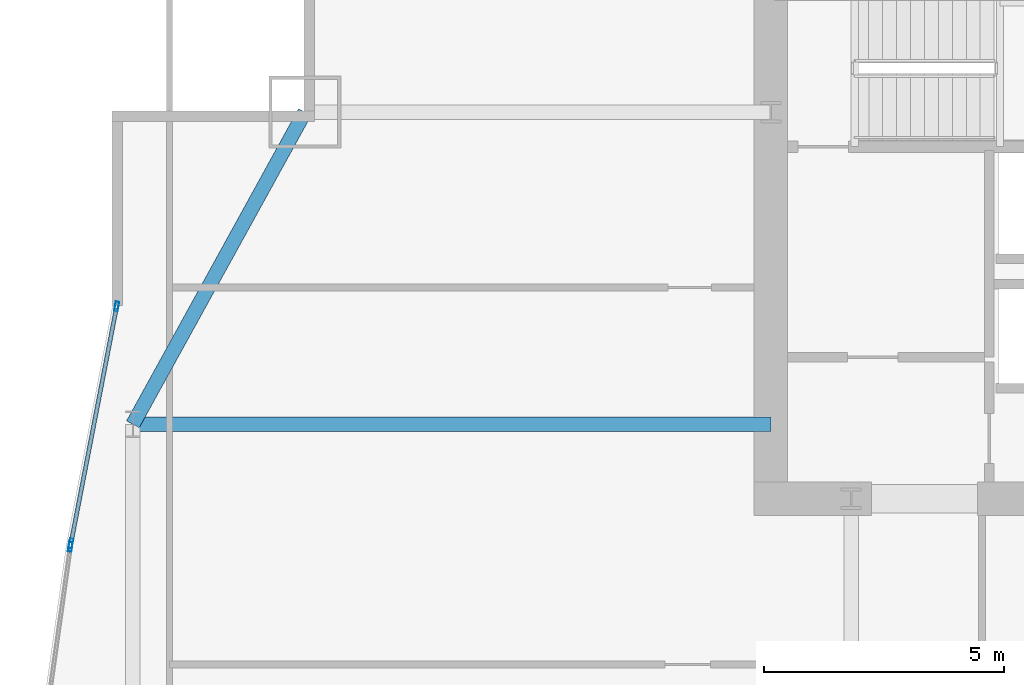
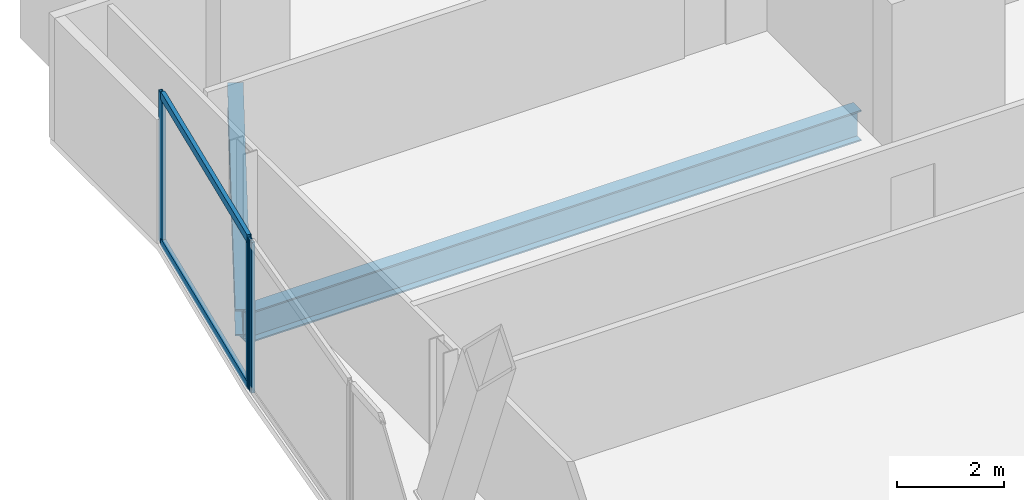
# One storey, part 17 of 33: 5 members, 2 beams, 2 elements without a shape of their own.
"""IFC4 building model written with IfcOpenShell, lengths in metres."""

from ifc_helpers import new_model, si_unit, direction, frame, origin, origin_2d, place, context, subcontext, project, spatial, hollow_rectangle, i_section, extrude, material, material_profile, profile_set, type_object, element, aggregate, save


model = new_model("IFC4")

# Units and contexts
model_context = context("Model", 3, precision=1e-05, world=origin(), true_north=direction((0.0, 1.0)))
body_context = subcontext(model_context, "Body", "Model", "MODEL_VIEW")
ifc_project = project(units=[si_unit("LENGTHUNIT", "METRE"), si_unit("AREAUNIT", "SQUARE_METRE"), si_unit("VOLUMEUNIT", "CUBIC_METRE"), si_unit("PLANEANGLEUNIT", "RADIAN"), si_unit("MASSUNIT", "GRAM", prefix="KILO")], contexts=[model_context])

# Site, building, storey
site_placement = place(None, origin())
site = spatial("IfcSite", under=ifc_project, at=site_placement, CompositionType="ELEMENT")
building_placement = place(site_placement, origin())
building = spatial("IfcBuilding", under=site, at=building_placement, Name="Khoronbel Lancet Exchange", CompositionType="ELEMENT")
storey_placement = place(building_placement, frame((0.0, 0.0, 118.199951171875)))
storey = spatial("IfcBuildingStorey", under=building, at=storey_placement, Name="L28", CompositionType="ELEMENT", Elevation=118.199951171875)

# Beams
ifc_material_1 = material(Name="Steel S355", Category="steel")
ifc_material_profile_1 = material_profile(ifc_material_1, i_section(OverallWidth=0.300048828125, OverallDepth=0.699951171875, WebThickness=0.01708984375, FlangeThickness=0.031982421875, at=origin_2d()), Name="HEB 700")
ifc_profile_set_1 = profile_set([ifc_material_profile_1], Name="Steel S355")
beam_type_1 = type_object("IfcBeamType", Name="BM-BG3", PredefinedType="BEAM", material=ifc_profile_set_1)
beam_1_placement = place(storey_placement, frame((3.27001953125, 43.199951171875, -0.510009765625), z_axis=(1.0, 0.0, 0.0), x_axis=(0.0, 1.0, 0.0)))
element("IfcBeam", 1, at=beam_1_placement, inside=storey, type_object=beam_type_1, Name="Level L28 west lens tie girder LG3W", PredefinedType="BEAM", context=body_context, shape_type="SweptSolid", body=[
    extrude(i_section(OverallWidth=0.300048828125, OverallDepth=0.699951171875, WebThickness=0.01708984375, FlangeThickness=0.031982421875, at=origin_2d()), origin(), (0.0, 0.0, 1.0), 13.280029296875),
])
ifc_material_profile_2 = material_profile(ifc_material_1, i_section(OverallWidth=0.300048828125, OverallDepth=0.60009765625, WebThickness=0.015380859375, FlangeThickness=0.030029296875, at=origin_2d()), Name="HEB 600")
ifc_profile_set_2 = profile_set([ifc_material_profile_2], Name="Steel S355")
beam_type_2 = type_object("IfcBeamType", Name="BM-BSP2", PredefinedType="SPANDREL", material=ifc_profile_set_2)
beam_2_placement = place(storey_placement, frame((6.85009765625, 49.699951171875, -0.4599609375), z_axis=(-0.482444051088, -0.875926787791, 0.0), x_axis=(0.875926787791, -0.482444051088, 0.0)))
element("IfcBeam", 2, at=beam_2_placement, inside=storey, type_object=beam_type_2, Name="Level L28 perimeter spandrel beam SP16", PredefinedType="SPANDREL", context=body_context, shape_type="SweptSolid", body=[
    extrude(i_section(OverallWidth=0.300048828125, OverallDepth=0.60009765625, WebThickness=0.015380859375, FlangeThickness=0.030029296875, at=origin_2d()), origin(), (0.0, 0.0, 1.0), 7.420654296875),
])

# Curtain wall, member
ifc_material_2 = material(Name="Low-E Solar Control Insulating Glass", Category="glass")
curtain_wall_type = type_object("IfcCurtainWallType", Name="CW-4", PredefinedType="NOTDEFINED", material=ifc_material_2)
curtain_wall_1_placement = place(storey_placement, origin())
curtain_wall_1 = element("IfcCurtainWall", 3, at=curtain_wall_1_placement, inside=storey, type_object=curtain_wall_type, Name="Unitised curtain wall CW-L28-E08", PredefinedType="NOTDEFINED")
ifc_material_3 = material(Name="Bronze-Anodised Aluminium 6063-T6", Category="aluminium")
ifc_material_profile_3 = material_profile(ifc_material_3, hollow_rectangle(XDim=0.074951171875, YDim=0.199951171875, WallThickness=0.0048828125, at=origin_2d()), Name="ALU MULLION 75x200")
ifc_profile_set_3 = profile_set([ifc_material_profile_3], Name="Bronze-Anodised Aluminium 6063-T6")
member_type_1 = type_object("IfcMemberType", Name="MEM-CWM2", PredefinedType="MULLION", material=ifc_profile_set_3)
member_1_placement = place(storey_placement, frame((1.96826171875, 40.64794921875, 0.0), z_axis=(0.0, 0.0, 1.0), x_axis=(-0.990162106971, 0.139924986756, 0.0)))
member_1 = element("IfcMember", 4, at=member_1_placement, type_object=member_type_1, Name="CW4 mullion 2", PredefinedType="MULLION", context=body_context, shape_type="SweptSolid", body=[
    extrude(hollow_rectangle(XDim=0.074951171875, YDim=0.199951171875, WallThickness=0.0048828125, at=origin_2d()), origin(), (0.0, 0.0, 1.0), 3.43994140625),
])
aggregate(curtain_wall_1, [member_1])

# Curtain wall, members
curtain_wall_2_placement = place(storey_placement, origin())
curtain_wall_2 = element("IfcCurtainWall", 5, at=curtain_wall_2_placement, inside=storey, type_object=curtain_wall_type, Name="Unitised curtain wall CW-L28-E09", PredefinedType="NOTDEFINED")
member_2_placement = place(storey_placement, frame((1.980712890625, 40.721923828125, 0.0), z_axis=(0.0, 0.0, 1.0), x_axis=(-0.981872742913, 0.189541332498, 0.0)))
member_2 = element("IfcMember", 6, at=member_2_placement, type_object=member_type_1, Name="CW4 mullion 1", PredefinedType="MULLION", context=body_context, shape_type="SweptSolid", body=[
    extrude(hollow_rectangle(XDim=0.074951171875, YDim=0.199951171875, WallThickness=0.0048828125, at=origin_2d()), origin(), (0.0, 0.0, 1.0), 3.43994140625),
])
member_3_placement = place(storey_placement, frame((2.932861328125, 45.654541015625, 0.0), z_axis=(0.0, 0.0, 1.0), x_axis=(-0.981872742913, 0.189541332498, 0.0)))
member_3 = element("IfcMember", 7, at=member_3_placement, type_object=member_type_1, Name="CW4 mullion 2", PredefinedType="MULLION", context=body_context, shape_type="SweptSolid", body=[
    extrude(hollow_rectangle(XDim=0.074951171875, YDim=0.199951171875, WallThickness=0.0048828125, at=origin_2d()), origin(), (0.0, 0.0, 1.0), 3.43994140625),
])
ifc_material_profile_4 = material_profile(ifc_material_3, hollow_rectangle(XDim=0.0849609375, YDim=0.179931640625, WallThickness=0.0048828125, at=origin_2d()), Name="ALU TRANSOM 85x180")
ifc_profile_set_4 = profile_set([ifc_material_profile_4], Name="Bronze-Anodised Aluminium 6063-T6")
member_type_2 = type_object("IfcMemberType", Name="MEM-CWT1", PredefinedType="USERDEFINED", material=ifc_profile_set_4)
member_4_placement = place(storey_placement, frame((1.98779296875, 40.7587890625, 0.04248046875), z_axis=(0.189546345119, 0.98187177526, 0.0), x_axis=(-0.98187177526, 0.189546345119, 0.0)))
member_4 = element("IfcMember", 8, at=member_4_placement, type_object=member_type_2, Name="CW4 transom 1.1", ObjectType="TRANSOM", PredefinedType="USERDEFINED", context=body_context, shape_type="SweptSolid", body=[
    extrude(hollow_rectangle(XDim=0.0849609375, YDim=0.179931640625, WallThickness=0.0048828125, at=origin_2d()), origin(), (0.0, 0.0, 1.0), 4.948486328125),
])
member_5_placement = place(storey_placement, frame((1.98779296875, 40.7587890625, 3.3974609375), z_axis=(0.189546345119, 0.98187177526, 0.0), x_axis=(-0.98187177526, 0.189546345119, 0.0)))
member_5 = element("IfcMember", 9, at=member_5_placement, type_object=member_type_2, Name="CW4 transom 1.2", ObjectType="TRANSOM", PredefinedType="USERDEFINED", context=body_context, shape_type="SweptSolid", body=[
    extrude(hollow_rectangle(XDim=0.0849609375, YDim=0.179931640625, WallThickness=0.0048828125, at=origin_2d()), origin(), (0.0, 0.0, 1.0), 4.948486328125),
])
aggregate(curtain_wall_2, [member_2, member_3, member_4, member_5])

save(model, "model.ifc")
